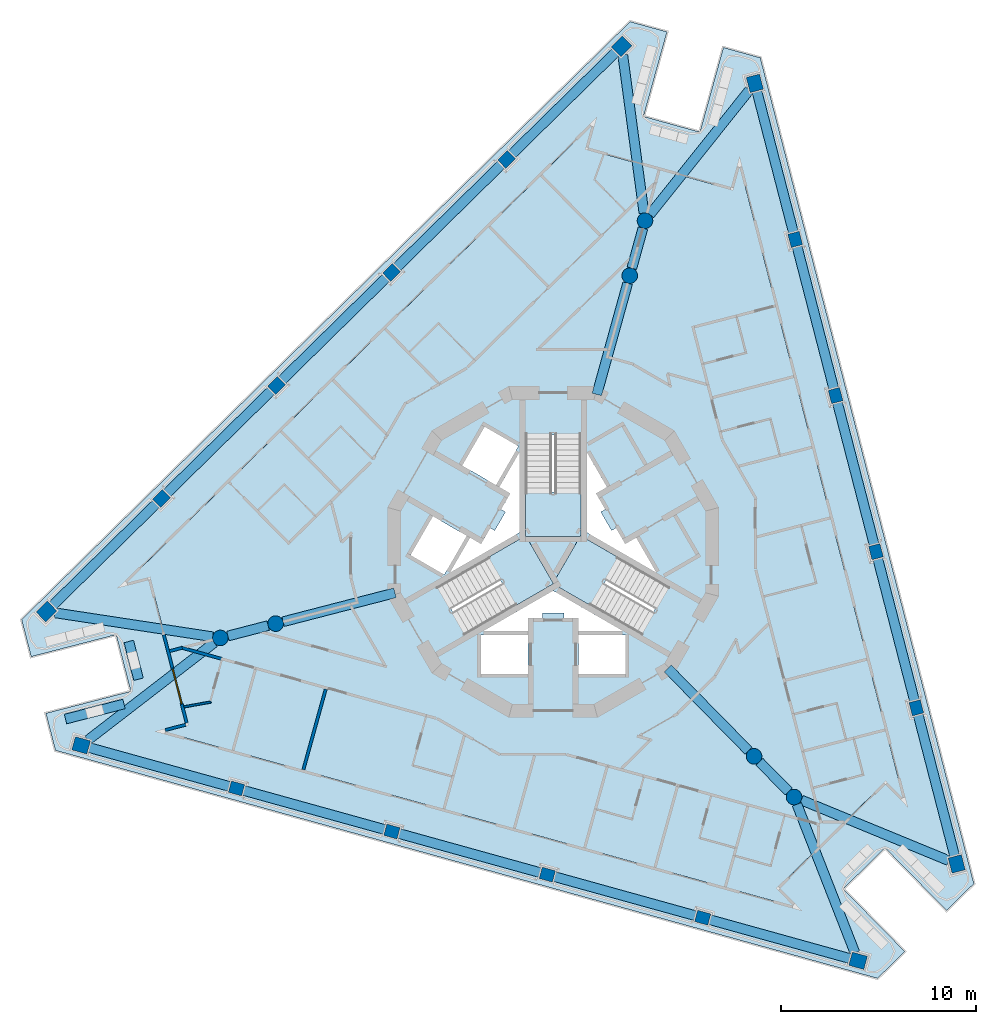
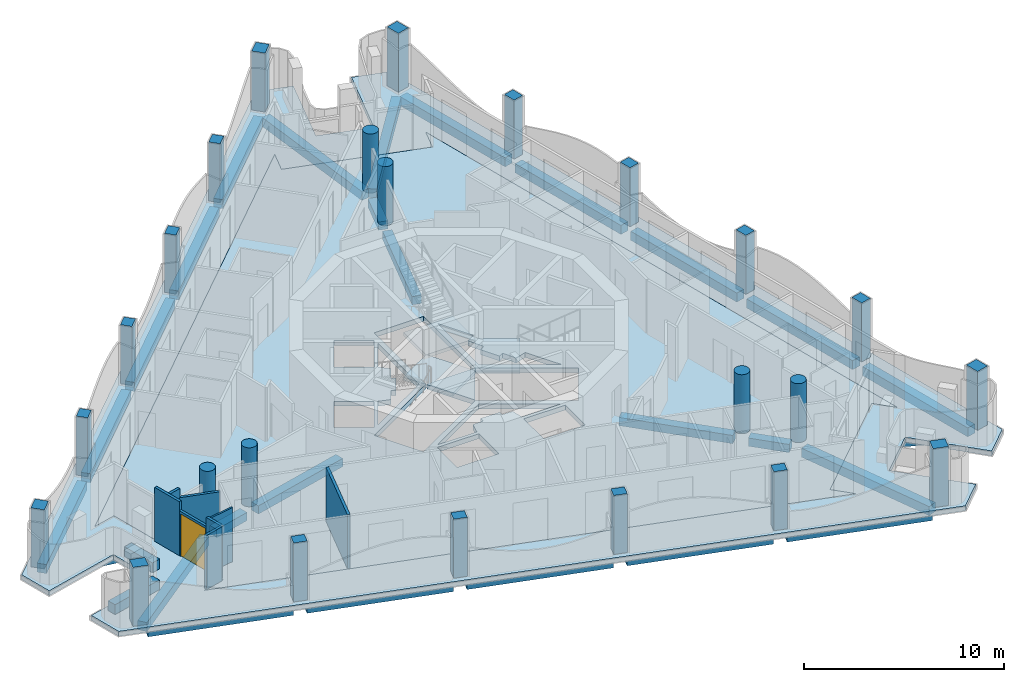
# One storey, part 1 of 14: 27 beams, 24 columns, 10 walls, 6 slabs, 1 door, 1 opening, 3 elements without a shape of their own.
"""IFC4 building model written with IfcOpenShell, lengths in metres."""

import ifcopenshell
import ifcopenshell.guid

model = None  # the IFC model being written
_history = None  # IfcOwnerHistory: only IFC2X3 demands one
_inside = {}  # id of a spatial element -> (the spatial element, [elements in it])
_under = {}  # id of a project, library or spatial element -> (it, [spatial elements below it])
_declared = {}  # id of a project -> (the project, [libraries it declares])
_typed = {}  # id of a type object -> (the type object, [elements of that type])
_made_of = {}  # id of a material, layer set ... -> (it, [elements and type objects made of it])


def new_model(schema):
    """Start an empty IFC model of exactly this schema.

    Asked for "IFC4X3", IfcOpenShell would pick the latest addendum, in which some entities
    have other attributes; the version numbers below select the first issue.
    IFC2X3 requires an IfcOwnerHistory on every rooted entity: one is made here for all.
    """
    global model, _history
    if schema == "IFC4X3":
        model = ifcopenshell.file(schema_version=(4, 3, 0, 0))
    else:
        model = ifcopenshell.file(schema=schema)
    _inside.clear()
    _under.clear()
    _declared.clear()
    _typed.clear()
    _made_of.clear()
    _history = None
    if model.schema == "IFC2X3":
        org = make("IfcOrganization", Name="unknown")
        user = make(
            "IfcPersonAndOrganization",
            ThePerson=make("IfcPerson", FamilyName="unknown"),
            TheOrganization=org,
        )
        app = make(
            "IfcApplication",
            ApplicationDeveloper=org,
            Version="unknown",
            ApplicationFullName="unknown",
            ApplicationIdentifier="unknown",
        )
        _history = make(
            "IfcOwnerHistory",
            OwningUser=user,
            OwningApplication=app,
            ChangeAction="ADDED",
            CreationDate=0,
        )
    return model


def make(cls, **values):
    """One entity of the class cls with the attributes given. An attribute that is None is left unset."""
    return model.create_entity(
        cls, **{name: value for name, value in values.items() if value is not None}
    )


def rooted(cls, **values):
    """An entity with a GlobalId (a new one), such as an element, a storey or a relation."""
    return make(cls, GlobalId=ifcopenshell.guid.new(), OwnerHistory=_history, **values)


def si_unit(unit_type, name, prefix=None):
    """IfcSIUnit, for example si_unit("LENGTHUNIT", "METRE", prefix="MILLI")."""
    return make("IfcSIUnit", UnitType=unit_type, Prefix=prefix, Name=name)


def assignment(units):
    """IfcUnitAssignment: the units of a project."""
    return None if units is None else make("IfcUnitAssignment", Units=units)


def point(xyz):
    """IfcCartesianPoint."""
    return None if xyz is None else make("IfcCartesianPoint", Coordinates=xyz)


def direction(xyz):
    """IfcDirection."""
    return None if xyz is None else make("IfcDirection", DirectionRatios=xyz)


def frame(location, z_axis=None, x_axis=None):
    """IfcAxis2Placement3D, a coordinate frame: its origin and axes. An axis left out is left unset."""
    return make(
        "IfcAxis2Placement3D",
        Location=point(location),
        Axis=direction(z_axis),
        RefDirection=direction(x_axis),
    )


def frame_2d(location, x_axis=None):
    """IfcAxis2Placement2D, a coordinate frame in the plane: its origin and x axis."""
    return make(
        "IfcAxis2Placement2D", Location=point(location), RefDirection=direction(x_axis)
    )


def origin():
    """The frame at (0, 0, 0) with its axes left unset."""
    return frame((0.0, 0.0, 0.0))


def origin_2d():
    """The frame at (0, 0) in the plane with its x axis left unset."""
    return frame_2d((0.0, 0.0))


def place(relative_to, where):
    """IfcLocalPlacement: puts the frame where relative to a parent placement (None: the world)."""
    return make(
        "IfcLocalPlacement", PlacementRelTo=relative_to, RelativePlacement=where
    )


def context(
    kind, dimensions, precision=None, world=None, true_north=None, identifier=None
):
    """IfcGeometricRepresentationContext, for example the 3D "Model" context."""
    return make(
        "IfcGeometricRepresentationContext",
        ContextIdentifier=identifier,
        ContextType=kind,
        CoordinateSpaceDimension=dimensions,
        Precision=precision,
        WorldCoordinateSystem=world,
        TrueNorth=true_north,
    )


def subcontext(parent, identifier, kind, view, scale=None):
    """IfcGeometricRepresentationSubContext, for example "Body" below "Model"."""
    return make(
        "IfcGeometricRepresentationSubContext",
        ContextIdentifier=identifier,
        ContextType=kind,
        ParentContext=parent,
        TargetScale=scale,
        TargetView=view,
    )


def project(units=None, contexts=None):
    """IfcProject with its units and contexts."""
    return rooted(
        "IfcProject",
        Name="project",
        RepresentationContexts=contexts,
        UnitsInContext=assignment(units),
    )


def spatial(cls, under=None, at=None, **own):
    """A site, building, storey or space (cls), placed at a placement, below another one or the project."""
    s = rooted(cls, ObjectPlacement=at, **own)
    if under is not None:
        _under.setdefault(under.id(), (under, []))[1].append(s)
    return s


def polyline(points):
    """IfcPolyline through the points."""
    return make("IfcPolyline", Points=[point(p) for p in points])


def profile(cls, at=None, kind="AREA", **sizes):
    """A parametric profile (cls). Its sizes go by their IFC names, for example OverallWidth=200.0."""
    return make(cls, ProfileType=kind, Position=at, **sizes)


def rectangle(**sizes):
    """IfcRectangleProfileDef."""
    return profile("IfcRectangleProfileDef", **sizes)


def circle(**sizes):
    """IfcCircleProfileDef."""
    return profile("IfcCircleProfileDef", **sizes)


def outline(outer, holes=None, kind="AREA"):
    """IfcArbitraryClosedProfileDef: a profile drawn as a closed curve; with holes, ...WithVoids."""
    if holes is None:
        return make("IfcArbitraryClosedProfileDef", ProfileType=kind, OuterCurve=outer)
    return make(
        "IfcArbitraryProfileDefWithVoids",
        ProfileType=kind,
        OuterCurve=outer,
        InnerCurves=holes,
    )


def extrude(swept, where, along, depth):
    """IfcExtrudedAreaSolid: the profile swept, set in the frame where, extruded along a direction by depth."""
    return make(
        "IfcExtrudedAreaSolid",
        SweptArea=swept,
        Position=where,
        ExtrudedDirection=direction(along),
        Depth=depth,
    )


def shape(context_of_items, identifier, shape_type, items):
    """IfcShapeRepresentation: the items that make up one representation, for example the "Body"."""
    return make(
        "IfcShapeRepresentation",
        ContextOfItems=context_of_items,
        RepresentationIdentifier=identifier,
        RepresentationType=shape_type,
        Items=items,
    )


def material(Name=None, Category=None):
    """IfcMaterial."""
    return make("IfcMaterial", Name=Name, Category=Category)


def layer(
    of_material, thickness, ventilated=None, Name=None, Category=None, Priority=None
):
    """IfcMaterialLayer: one layer of a wall or slab, of a material (None: an air gap)."""
    return make(
        "IfcMaterialLayer",
        Material=of_material,
        LayerThickness=thickness,
        IsVentilated=ventilated,
        Name=Name,
        Category=Category,
        Priority=Priority,
    )


def layer_set(layers, Name=None):
    """IfcMaterialLayerSet."""
    return make("IfcMaterialLayerSet", MaterialLayers=layers, LayerSetName=Name)


def material_profile(
    of_material, cross_section, Name=None, Category=None, Priority=None
):
    """IfcMaterialProfile: a cross section and its material."""
    return make(
        "IfcMaterialProfile",
        Name=Name,
        Material=of_material,
        Profile=cross_section,
        Priority=Priority,
        Category=Category,
    )


def profile_set(profiles, Name=None, composite=None):
    """IfcMaterialProfileSet."""
    return make(
        "IfcMaterialProfileSet",
        Name=Name,
        MaterialProfiles=profiles,
        CompositeProfile=composite,
    )


def made_of(thing, what):
    """Note that an element or type object is made of a material, layer set ...; save() writes the relation."""
    if what is not None:
        _made_of.setdefault(what.id(), (what, []))[1].append(thing)
    return thing


def type_object(cls, material=None, **own):
    """A type object (cls), such as IfcWallType, which elements share."""
    return made_of(rooted(cls, **own), material)


def element(
    cls,
    number,
    at=None,
    inside=None,
    cuts=None,
    type_object=None,
    material=None,
    context=None,
    identifier="Body",
    shape_type=None,
    held_by="IfcProductDefinitionShape",
    body=None,
    shapes=None,
    **own,
):
    """One element of the class cls, such as IfcWall. Its Tag is "e" and its number.

    at: its placement. inside: the storey or other place that contains it. cuts: it is an
    opening in that element (IfcRelVoidsElement). A single representation is given by context,
    identifier, shape_type and body (its items); several are given by shapes. held_by: the class
    of the entity that holds the representations. save() writes the other relations.
    """
    e = rooted(cls, Tag="e%d" % number, ObjectPlacement=at, **own)
    if body is not None:
        shapes = [shape(context, identifier, shape_type, body)]
    if shapes is not None:
        e.Representation = make(held_by, Representations=shapes)
    if inside is not None:
        _inside.setdefault(inside.id(), (inside, []))[1].append(e)
    if cuts is not None:
        rooted(
            "IfcRelVoidsElement", RelatingBuildingElement=cuts, RelatedOpeningElement=e
        )
    if type_object is not None:
        _typed.setdefault(type_object.id(), (type_object, []))[1].append(e)
    return made_of(e, material)


def fill(opening, filler):
    """IfcRelFillsElement: the door or window that sits in an opening."""
    return rooted(
        "IfcRelFillsElement",
        RelatingOpeningElement=opening,
        RelatedBuildingElement=filler,
    )


def aggregate(whole, parts):
    """IfcRelAggregates: a whole, such as a stair, and the parts it consists of."""
    return rooted("IfcRelAggregates", RelatingObject=whole, RelatedObjects=parts)


def save(model, path):
    """Write the relations noted so far, then the file.

    IfcRelAggregates (storeys below a building ...), IfcRelContainedInSpatialStructure (elements
    in a storey), IfcRelDefinesByType, IfcRelAssociatesMaterial and IfcRelDeclares: one each for
    every whole, place, type object, material and project.
    """
    for whole, parts in _under.values():
        aggregate(whole, parts)
    for where, things in _inside.values():
        rooted(
            "IfcRelContainedInSpatialStructure",
            RelatedElements=things,
            RelatingStructure=where,
        )
    for kind, things in _typed.values():
        rooted("IfcRelDefinesByType", RelatedObjects=things, RelatingType=kind)
    for what, things in _made_of.values():
        rooted("IfcRelAssociatesMaterial", RelatedObjects=things, RelatingMaterial=what)
    for by, libraries in _declared.values():
        rooted("IfcRelDeclares", RelatingContext=by, RelatedDefinitions=libraries)
    model.write(path)


model = new_model("IFC4")

# Units and contexts
model_context = context("Model", 3, precision=1e-05, world=origin(), true_north=direction((0.0, 1.0)))
body_context = subcontext(model_context, "Body", "Model", "MODEL_VIEW")
ifc_project = project(units=[si_unit("LENGTHUNIT", "METRE"), si_unit("AREAUNIT", "SQUARE_METRE"), si_unit("VOLUMEUNIT", "CUBIC_METRE"), si_unit("PLANEANGLEUNIT", "RADIAN"), si_unit("MASSUNIT", "GRAM", prefix="KILO")], contexts=[model_context])

# Site, building, storey
site_placement = place(None, origin())
site = spatial("IfcSite", under=ifc_project, at=site_placement, CompositionType="ELEMENT")
building_placement = place(site_placement, origin())
building = spatial("IfcBuilding", under=site, at=building_placement, Name="Trine Commons Tower", CompositionType="ELEMENT")
storey_placement = place(building_placement, frame((0.0, 0.0, 252.89990234375)))
storey = spatial("IfcBuildingStorey", under=building, at=storey_placement, Name="L66", CompositionType="ELEMENT", Elevation=252.89990234375)

# Columns
ifc_material_1 = material(Name="Concrete C50/60", Category="concrete")
ifc_material_profile_1 = material_profile(ifc_material_1, rectangle(XDim=0.699951171875, YDim=0.60009765625, at=origin_2d()), Name="RC 700x600")
ifc_profile_set_1 = profile_set([ifc_material_profile_1], Name="Concrete C50/60")
column_type_1 = type_object("IfcColumnType", Name="RC column 700x600, C50/60", PredefinedType="COLUMN", material=ifc_profile_set_1)
for number, where, z_axis, x_axis, name in (
    (1, (87.668701171875, 43.74072265625, 0.0), (0.0, 0.0, 1.0), (-0.963630453209, 0.267238376078, 0.0), "Column PC7-02 L66"),
    (2, (79.70068359375, 45.950439453125, 0.0), (0.0, 0.0, 1.0), (-0.963630453209, 0.267238376078, 0.0), "Column PC7-03 L66"),
    (3, (71.73291015625, 48.16015625, 0.0), (0.0, 0.0, 1.0), (-0.963630453209, 0.267238376078, 0.0), "Column PC7-04 L66"),
    (4, (63.764892578125, 50.369873046875, 0.0), (0.0, 0.0, 1.0), (-0.963630453209, 0.267238376078, 0.0), "Column PC7-05 L66"),
    (5, (59.91943359375, 65.23828125, 0.0), (0.0, 0.0, 1.0), (0.713250449154, 0.7009092643, 0.0), "Column PC7-08 L66"),
    (6, (65.817138671875, 71.033935546875, 0.0), (0.0, 0.0, 1.0), (0.713250449154, 0.7009092643, 0.0), "Column PC7-09 L66"),
    (7, (71.71484375, 76.82958984375, 0.0), (0.0, 0.0, 1.0), (0.713250449154, 0.7009092643, 0.0), "Column PC7-10 L66"),
    (8, (77.612548828125, 82.625244140625, 0.0), (0.0, 0.0, 1.0), (0.713250449154, 0.7009092643, 0.0), "Column PC7-11 L66"),
    (9, (92.41162109375, 78.52099609375, 0.0), (0.0, 0.0, 1.0), (-0.250380004054, 0.968147640378, 0.0), "Column PC7-14 L66"),
    (10, (94.48193359375, 70.515625, 0.0), (0.0, 0.0, 1.0), (-0.250380004054, 0.968147640378, 0.0), "Column PC7-15 L66"),
    (11, (96.55224609375, 62.51025390625, 0.0), (0.0, 0.0, 1.0), (-0.250380004054, 0.968147640378, 0.0), "Column PC7-16 L66"),
    (12, (98.622802734375, 54.5048828125, 0.0), (0.0, 0.0, 1.0), (-0.250380004054, 0.968147640378, 0.0), "Column PC7-17 L66"),
):
    element("IfcColumn", number, at=place(storey_placement, frame(where, z_axis=z_axis, x_axis=x_axis)), inside=storey, type_object=column_type_1, Name=name, PredefinedType="COLUMN", context=body_context, shape_type="SweptSolid", body=[
        extrude(rectangle(XDim=0.699951171875, YDim=0.60009765625, at=origin_2d()), origin(), (0.0, 0.0, 1.0), 3.60009765625),
    ])
ifc_material_profile_2 = material_profile(ifc_material_1, rectangle(XDim=0.800048828125, YDim=0.699951171875, at=origin_2d()), Name="RC 800x700")
ifc_profile_set_2 = profile_set([ifc_material_profile_2], Name="Concrete C50/60")
column_type_2 = type_object("IfcColumnType", Name="RC column 800x700, C50/60", PredefinedType="COLUMN", material=ifc_profile_set_2)
for number, where, z_axis, x_axis, name in (
    (13, (95.63671875, 41.531005859375, 0.0), (0.0, 0.0, 1.0), (-0.963630453209, 0.267238376078, 0.0), "Column PC7-01 L66"),
    (14, (55.796875, 52.57958984375, 0.0), (0.0, 0.0, 1.0), (-0.963630453209, 0.267238376078, 0.0), "Column PC7-06 L66"),
    (15, (54.02197265625, 59.442626953125, 0.0), (0.0, 0.0, 1.0), (0.713250449154, 0.7009092643, 0.0), "Column PC7-07 L66"),
    (16, (83.51025390625, 88.4208984375, 0.0), (0.0, 0.0, 1.0), (0.713250449154, 0.7009092643, 0.0), "Column PC7-12 L66"),
    (17, (90.34130859375, 86.5263671875, 0.0), (0.0, 0.0, 1.0), (-0.250380004054, 0.968147640378, 0.0), "Column PC7-13 L66"),
    (18, (100.693115234375, 46.499755859375, 0.0), (0.0, 0.0, 1.0), (-0.250380004054, 0.968147640378, 0.0), "Column PC7-18 L66"),
):
    element("IfcColumn", number, at=place(storey_placement, frame(where, z_axis=z_axis, x_axis=x_axis)), inside=storey, type_object=column_type_2, Name=name, PredefinedType="COLUMN", context=body_context, shape_type="SweptSolid", body=[
        extrude(rectangle(XDim=0.800048828125, YDim=0.699951171875, at=origin_2d()), origin(), (0.0, 0.0, 1.0), 3.60009765625),
    ])
ifc_material_profile_3 = material_profile(ifc_material_1, circle(Radius=0.39990234375, at=origin_2d()), Name="RC round 800")
ifc_profile_set_3 = profile_set([ifc_material_profile_3], Name="Concrete C50/60")
column_type_3 = type_object("IfcColumnType", Name="RC round column 800 mm, C50/60", PredefinedType="COLUMN", material=ifc_profile_set_3)
for number, where, z_axis, x_axis, name in (
    (19, (90.301513671875, 52.01708984375, 0.0), (0.0, 0.0, 1.0), (1.0, 0.0, 0.0), "Column WC7-1 L66"),
    (20, (92.352783203125, 49.9296875, 0.0), (0.0, 0.0, 1.0), (1.0, 0.0, 0.0), "Column WC7-2 L66"),
    (21, (83.927734375, 76.66259765625, 0.0), (0.0, 0.0, 1.0), (1.0, 0.0, 0.0), "Column WC7-3 L66"),
    (22, (84.709716796875, 79.48291015625, 0.0), (0.0, 0.0, 1.0), (1.0, 0.0, 0.0), "Column WC7-4 L66"),
    (23, (65.77099609375, 58.820068359375, 0.0), (0.0, 0.0, 1.0), (1.0, 0.0, 0.0), "Column WC7-5 L66"),
    (24, (62.9375, 58.08740234375, 0.0), (0.0, 0.0, 1.0), (1.0, 0.0, 0.0), "Column WC7-6 L66"),
):
    element("IfcColumn", number, at=place(storey_placement, frame(where, z_axis=z_axis, x_axis=x_axis)), inside=storey, type_object=column_type_3, Name=name, PredefinedType="COLUMN", context=body_context, shape_type="SweptSolid", body=[
        extrude(circle(Radius=0.39990234375, at=origin_2d()), origin(), (0.0, 0.0, 1.0), 3.60009765625),
    ])

# Beams
ifc_material_2 = material(Name="Concrete C40/50", Category="concrete")
ifc_material_profile_4 = material_profile(ifc_material_2, rectangle(XDim=0.5, YDim=0.5, at=origin_2d()), Name="RC 500x500")
ifc_profile_set_4 = profile_set([ifc_material_profile_4], Name="Concrete C40/50")
beam_type_1 = type_object("IfcBeamType", Name="RC beam 500x500, C40/50", PredefinedType="BEAM", material=ifc_profile_set_4)
beam_1_placement = place(storey_placement, frame((85.87353515625, 56.523193359375, -0.5498046875), z_axis=(0.700890997639, -0.713268399292, 0.0), x_axis=(0.713268399292, 0.700890997639, 0.0)))
element("IfcBeam", 25, at=beam_1_placement, inside=storey, type_object=beam_type_1, Name="Beam RB7-01 L66", PredefinedType="BEAM", context=body_context, shape_type="SweptSolid", body=[
    extrude(rectangle(XDim=0.5, YDim=0.5, at=origin_2d()), origin(), (0.0, 0.0, 1.0), 5.91748046875),
])
beam_2_placement = place(storey_placement, frame((90.581787109375, 51.73193359375, -0.5498046875), z_axis=(0.70093857454, -0.713221644877, 0.0), x_axis=(0.713221644877, 0.70093857454, 0.0)))
element("IfcBeam", 26, at=beam_2_placement, inside=storey, type_object=beam_type_1, Name="Beam RB7-02 L66", PredefinedType="BEAM", context=body_context, shape_type="SweptSolid", body=[
    extrude(rectangle(XDim=0.5, YDim=0.5, at=origin_2d()), origin(), (0.0, 0.0, 1.0), 2.126708984375),
])
beam_3_placement = place(storey_placement, frame((82.239501953125, 70.574951171875, -0.5498046875), z_axis=(0.267209770713, 0.963638385721, 0.0), x_axis=(-0.963638385721, 0.267209770713, 0.0)))
element("IfcBeam", 27, at=beam_3_placement, inside=storey, type_object=beam_type_1, Name="Beam RB7-03 L66", PredefinedType="BEAM", context=body_context, shape_type="SweptSolid", body=[
    extrude(rectangle(XDim=0.5, YDim=0.5, at=origin_2d()), origin(), (0.0, 0.0, 1.0), 5.917724609375),
])
beam_4_placement = place(storey_placement, frame((84.034423828125, 77.0478515625, -0.5498046875), z_axis=(0.267270963033, 0.963621415453, 0.0), x_axis=(-0.963621415453, 0.267270963033, 0.0)))
element("IfcBeam", 28, at=beam_4_placement, inside=storey, type_object=beam_type_1, Name="Beam RB7-04 L66", PredefinedType="BEAM", context=body_context, shape_type="SweptSolid", body=[
    extrude(rectangle(XDim=0.5, YDim=0.5, at=origin_2d()), origin(), (0.0, 0.0, 1.0), 2.12744140625),
])
beam_5_placement = place(storey_placement, frame((71.88720703125, 60.40185546875, -0.5498046875), z_axis=(-0.968150015074, -0.250370821607, 0.0), x_axis=(0.250370821607, -0.968150015074, 0.0)))
element("IfcBeam", 29, at=beam_5_placement, inside=storey, type_object=beam_type_1, Name="Beam RB7-05 L66", PredefinedType="BEAM", context=body_context, shape_type="SweptSolid", body=[
    extrude(rectangle(XDim=0.5, YDim=0.5, at=origin_2d()), origin(), (0.0, 0.0, 1.0), 5.91796875),
])
beam_6_placement = place(storey_placement, frame((65.384033203125, 58.72021484375, -0.5498046875), z_axis=(-0.968118610388, -0.250492227863, 0.0), x_axis=(0.250492227863, -0.968118610388, 0.0)))
element("IfcBeam", 30, at=beam_6_placement, inside=storey, type_object=beam_type_1, Name="Beam RB7-06 L66", PredefinedType="BEAM", context=body_context, shape_type="SweptSolid", body=[
    extrude(rectangle(XDim=0.5, YDim=0.5, at=origin_2d()), origin(), (0.0, 0.0, 1.0), 2.127685546875),
])
ifc_material_profile_5 = material_profile(ifc_material_2, rectangle(XDim=0.5, YDim=0.550048828125, at=origin_2d()), Name="RC 500x550")
ifc_profile_set_5 = profile_set([ifc_material_profile_5], Name="Concrete C40/50")
beam_type_2 = type_object("IfcBeamType", Name="RC beam 500x550, C40/50", PredefinedType="BEAM", material=ifc_profile_set_5)
beam_7_placement = place(storey_placement, frame((95.251220703125, 41.6376953125, -0.574951171875), z_axis=(-0.963621113681, 0.267272051042, 0.0), x_axis=(-0.267272051042, -0.963621113681, 0.0)))
element("IfcBeam", 31, at=beam_7_placement, inside=storey, type_object=beam_type_2, Name="Beam EB7-01 L66", PredefinedType="BEAM", context=body_context, shape_type="SweptSolid", body=[
    extrude(rectangle(XDim=0.5, YDim=0.550048828125, at=origin_2d()), origin(), (0.0, 0.0, 1.0), 7.5185546875),
])
for number, where, z_axis, x_axis, name in (
    (32, (87.33154296875, 43.834228515625, -0.574951171875), (-0.963628737279, 0.267244563445, 0.0), (-0.267244563445, -0.963628737279, 0.0), "Beam EB7-02 L66"),
    (33, (79.363525390625, 46.0439453125, -0.574951171875), (-0.963628737279, 0.267244563445, 0.0), (-0.267244563445, -0.963628737279, 0.0), "Beam EB7-03 L66"),
    (34, (71.3955078125, 48.253662109375, -0.574951171875), (-0.963628737279, 0.267244563445, 0.0), (-0.267244563445, -0.963628737279, 0.0), "Beam EB7-04 L66"),
):
    element("IfcBeam", number, at=place(storey_placement, frame(where, z_axis=z_axis, x_axis=x_axis)), inside=storey, type_object=beam_type_2, Name=name, PredefinedType="BEAM", context=body_context, shape_type="SweptSolid", body=[
        extrude(rectangle(XDim=0.5, YDim=0.550048828125, at=origin_2d()), origin(), (0.0, 0.0, 1.0), 7.56884765625),
    ])
for number, where, z_axis, x_axis, name in (
    (35, (63.427490234375, 50.46337890625, -0.574951171875), (-0.963629476257, 0.267241898827, 0.0), (-0.267241898827, -0.963629476257, 0.0), "Beam EB7-05 L66"),
    (36, (54.30712890625, 59.72314453125, -0.574951171875), (0.713265514722, 0.700893933137, 0.0), (-0.700893933137, 0.713265514722, 0.0), "Beam EB7-06 L66"),
):
    element("IfcBeam", number, at=place(storey_placement, frame(where, z_axis=z_axis, x_axis=x_axis)), inside=storey, type_object=beam_type_2, Name=name, PredefinedType="BEAM", context=body_context, shape_type="SweptSolid", body=[
        extrude(rectangle(XDim=0.5, YDim=0.550048828125, at=origin_2d()), origin(), (0.0, 0.0, 1.0), 7.5185546875),
    ])
for number, where, z_axis, x_axis, name in (
    (37, (60.169189453125, 65.483642578125, -0.574951171875), (0.713256929801, 0.700902669485, 0.0), (-0.700902669485, 0.713256929801, 0.0), "Beam EB7-07 L66"),
    (38, (66.06689453125, 71.279296875, -0.574951171875), (0.713256929801, 0.700902669485, 0.0), (-0.700902669485, 0.713256929801, 0.0), "Beam EB7-08 L66"),
    (39, (71.964599609375, 77.074951171875, -0.574951171875), (0.713241082752, 0.700918795492, 0.0), (-0.700918795492, 0.713241082752, 0.0), "Beam EB7-09 L66"),
):
    element("IfcBeam", number, at=place(storey_placement, frame(where, z_axis=z_axis, x_axis=x_axis)), inside=storey, type_object=beam_type_2, Name=name, PredefinedType="BEAM", context=body_context, shape_type="SweptSolid", body=[
        extrude(rectangle(XDim=0.5, YDim=0.550048828125, at=origin_2d()), origin(), (0.0, 0.0, 1.0), 7.568603515625),
    ])
beam_8_placement = place(storey_placement, frame((77.862060546875, 82.87060546875, -0.574951171875), z_axis=(0.713265514722, 0.700893933137, 0.0), x_axis=(-0.700893933137, 0.713265514722, 0.0)))
element("IfcBeam", 40, at=beam_8_placement, inside=storey, type_object=beam_type_2, Name="Beam EB7-10 L66", PredefinedType="BEAM", context=body_context, shape_type="SweptSolid", body=[
    extrude(rectangle(XDim=0.5, YDim=0.550048828125, at=origin_2d()), origin(), (0.0, 0.0, 1.0), 7.5185546875),
])
beam_9_placement = place(storey_placement, frame((90.441650390625, 86.13916015625, -0.574951171875), z_axis=(0.250381772483, -0.96814718303, 0.0), x_axis=(0.96814718303, 0.250381772483, 0.0)))
element("IfcBeam", 41, at=beam_9_placement, inside=storey, type_object=beam_type_2, Name="Beam EB7-11 L66", PredefinedType="BEAM", context=body_context, shape_type="SweptSolid", body=[
    extrude(rectangle(XDim=0.5, YDim=0.550048828125, at=origin_2d()), origin(), (0.0, 0.0, 1.0), 7.518798828125),
])
for number, where, z_axis, x_axis, name in (
    (42, (92.499267578125, 78.18212890625, -0.574951171875), (0.250375524013, -0.968148798985, 0.0), (0.968148798985, 0.250375524013, 0.0), "Beam EB7-12 L66"),
    (43, (94.569580078125, 70.1767578125, -0.574951171875), (0.250375524013, -0.968148798985, 0.0), (0.968148798985, 0.250375524013, 0.0), "Beam EB7-13 L66"),
    (44, (96.639892578125, 62.17138671875, -0.574951171875), (0.250413578195, -0.968138956894, 0.0), (0.968138956894, 0.250413578195, 0.0), "Beam EB7-14 L66"),
):
    element("IfcBeam", number, at=place(storey_placement, frame(where, z_axis=z_axis, x_axis=x_axis)), inside=storey, type_object=beam_type_2, Name=name, PredefinedType="BEAM", context=body_context, shape_type="SweptSolid", body=[
        extrude(rectangle(XDim=0.5, YDim=0.550048828125, at=origin_2d()), origin(), (0.0, 0.0, 1.0), 7.568603515625),
    ])
beam_10_placement = place(storey_placement, frame((98.710205078125, 54.166015625, -0.574951171875), z_axis=(0.250389643834, -0.96814514731, 0.0), x_axis=(0.96814514731, 0.250389643834, 0.0)))
element("IfcBeam", 45, at=beam_10_placement, inside=storey, type_object=beam_type_2, Name="Beam EB7-15 L66", PredefinedType="BEAM", context=body_context, shape_type="SweptSolid", body=[
    extrude(rectangle(XDim=0.5, YDim=0.550048828125, at=origin_2d()), origin(), (0.0, 0.0, 1.0), 7.5185546875),
])
beam_11_placement = place(storey_placement, frame((56.143310546875, 52.8466796875, -0.574951171875), z_axis=(0.79181565557, 0.610760155539, 0.0), x_axis=(-0.610760155539, 0.79181565557, 0.0)))
element("IfcBeam", 46, at=beam_11_placement, inside=storey, type_object=beam_type_2, Name="Beam CB7-01 L66", PredefinedType="BEAM", context=body_context, shape_type="SweptSolid", body=[
    extrude(rectangle(XDim=0.5, YDim=0.550048828125, at=origin_2d()), origin(), (0.0, 0.0, 1.0), 8.180908203125),
])
for number, where, z_axis, x_axis, name in (
    (47, (54.454345703125, 59.376953125, -0.574951171875), (0.98863822303, -0.150314550074, 0.0), (0.150314550074, 0.98863822303, 0.0), "Beam CB7-02 L66"),
    (48, (83.568359375, 87.9873046875, -0.574951171875), (0.1330354713, -0.99111127699, 0.0), (0.99111127699, 0.1330354713, 0.0), "Beam CB7-03 L66"),
):
    element("IfcBeam", number, at=place(storey_placement, frame(where, z_axis=z_axis, x_axis=x_axis)), inside=storey, type_object=beam_type_2, Name=name, PredefinedType="BEAM", context=body_context, shape_type="SweptSolid", body=[
        extrude(rectangle(XDim=0.5, YDim=0.550048828125, at=origin_2d()), origin(), (0.0, 0.0, 1.0), 8.18115234375),
    ])
beam_12_placement = place(storey_placement, frame((90.068115234375, 86.184814453125, -0.574951171875), z_axis=(-0.624465738686, -0.781052201333, 0.0), x_axis=(0.781052201333, -0.624465738686, 0.0)))
element("IfcBeam", 49, at=beam_12_placement, inside=storey, type_object=beam_type_2, Name="Beam CB7-04 L66", PredefinedType="BEAM", context=body_context, shape_type="SweptSolid", body=[
    extrude(rectangle(XDim=0.5, YDim=0.550048828125, at=origin_2d()), origin(), (0.0, 0.0, 1.0), 8.180908203125),
])
beam_13_placement = place(storey_placement, frame((100.28857421875, 46.666015625, -0.574951171875), z_axis=(-0.924841797532, 0.380352007407, 0.0), x_axis=(-0.380352007407, -0.924841797532, 0.0)))
element("IfcBeam", 50, at=beam_13_placement, inside=storey, type_object=beam_type_2, Name="Beam CB7-05 L66", PredefinedType="BEAM", context=body_context, shape_type="SweptSolid", body=[
    extrude(rectangle(XDim=0.5, YDim=0.550048828125, at=origin_2d()), origin(), (0.0, 0.0, 1.0), 8.1806640625),
])
beam_14_placement = place(storey_placement, frame((95.4775390625, 41.938232421875, -0.574951171875), z_axis=(-0.36416079705, 0.931336090727, 0.0), x_axis=(-0.931336090727, -0.36416079705, 0.0)))
element("IfcBeam", 51, at=beam_14_placement, inside=storey, type_object=beam_type_2, Name="Beam CB7-06 L66", PredefinedType="BEAM", context=body_context, shape_type="SweptSolid", body=[
    extrude(rectangle(XDim=0.5, YDim=0.550048828125, at=origin_2d()), origin(), (0.0, 0.0, 1.0), 8.18115234375),
])

# Slabs
ifc_layer_1 = layer(ifc_material_2, 0.300048828125)
ifc_layer_set_1 = layer_set([ifc_layer_1], Name="Concrete C40/50")
slab_type_1 = type_object("IfcSlabType", Name="Loggia slab 300 mm, C40/50", PredefinedType="FLOOR", material=ifc_layer_set_1)
slab_1_placement = place(storey_placement, frame((0.0, 0.0, -0.2998046875)))
element("IfcSlab", 52, at=slab_1_placement, inside=storey, type_object=slab_type_1, Name="Loggia slab L66", PredefinedType="FLOOR", context=body_context, shape_type="SweptSolid", body=[
    extrude(outline(polyline([(101.57421875, 45.488037109375), (90.621826171875, 87.83837890625), (88.72900390625, 88.36328125), (87.526611328125, 84.02685546875), (84.6357421875, 84.82861328125), (85.838134765625, 89.1650390625), (83.945556640625, 89.68994140625), (52.745361328125, 59.029541015625), (53.2373046875, 57.1279296875), (57.593994140625, 58.254638671875), (58.344970703125, 55.350341796875), (53.98828125, 54.2236328125), (54.47998046875, 52.322021484375), (96.6328125, 40.632080078125), (98.03369140625, 42.0087890625), (94.879638671875, 45.218505859375), (97.019287109375, 47.321044921875), (100.17333984375, 44.111572265625), (101.57421875, 45.488037109375)]), holes=[polyline([(59.31640625, 61.17919921875), (61.26953125, 53.627685546875), (59.96728515625, 53.291015625), (92.42822265625, 44.28857421875), (91.485595703125, 45.248046875), (97.048828125, 50.715087890625), (97.99169921875, 49.755615234375), (89.557373046875, 82.368896484375), (89.197998046875, 81.07275390625), (81.681640625, 83.1572265625), (82.041015625, 84.453369140625), (58.014404296875, 60.84228515625), (59.31640625, 61.17919921875)])]), origin(), (0.0, 0.0, 1.0), 0.2998046875),
])
ifc_layer_2 = layer(ifc_material_2, 0.300048828125)
ifc_layer_set_2 = layer_set([ifc_layer_2], Name="Concrete C40/50")
slab_type_2 = type_object("IfcSlabType", Name="PT flat slab 300 mm, C40/50", PredefinedType="FLOOR", material=ifc_layer_set_2)
slab_2_placement = place(storey_placement, frame((0.0, 0.0, -0.2998046875)))
element("IfcSlab", 53, at=slab_2_placement, inside=storey, type_object=slab_type_2, Name="Floor slab L66", PredefinedType="FLOOR", context=body_context, shape_type="SweptSolid", body=[
    extrude(outline(polyline([(58.014404296875, 60.84228515625), (59.31640625, 61.17919921875), (61.26953125, 53.627685546875), (59.96728515625, 53.291015625), (92.42822265625, 44.28857421875), (91.485595703125, 45.248046875), (97.048828125, 50.715087890625), (97.99169921875, 49.755615234375), (89.557373046875, 82.368896484375), (89.197998046875, 81.07275390625), (81.681640625, 83.1572265625), (82.041015625, 84.453369140625), (58.014404296875, 60.84228515625)]), holes=[polyline([(78.699951171875, 56.25), (78.699951171875, 58.25), (76.300048828125, 58.25), (76.300048828125, 56.25), (78.699951171875, 56.25)]), polyline([(83.699951171875, 56.25), (83.699951171875, 58.25), (81.300048828125, 58.25), (81.300048828125, 56.25), (83.699951171875, 56.25)]), polyline([(81.300048828125, 58.449951171875), (83.56494140625, 58.449951171875), (80.0, 60.508056640625), (76.43505859375, 58.449951171875), (78.699951171875, 58.449951171875), (78.85009765625, 59.10009765625), (79.449951171875, 59.10009765625), (79.449951171875, 59.360107421875), (80.550048828125, 59.360107421875), (80.550048828125, 59.10009765625), (81.14990234375, 59.10009765625), (81.300048828125, 58.449951171875)]), polyline([(81.425048828125, 63.32275390625), (81.425048828125, 68.490478515625), (78.574951171875, 68.490478515625), (78.574951171875, 63.32275390625), (74.099609375, 60.73876953125), (75.5244140625, 58.2705078125), (80.0, 60.8544921875), (84.4755859375, 58.2705078125), (85.900390625, 60.73876953125), (81.425048828125, 63.32275390625)]), polyline([(72.687255859375, 62.333984375), (74.41943359375, 61.333984375), (75.5693359375, 63.325927734375), (73.83740234375, 64.325927734375), (72.687255859375, 62.333984375)]), polyline([(76.381103515625, 63.031005859375), (75.742919921875, 63.22607421875), (74.7099609375, 61.43798828125), (78.27490234375, 63.49609375), (78.27490234375, 67.612060546875), (77.242919921875, 65.823974609375), (77.73095703125, 65.368896484375), (77.3310546875, 64.676025390625), (77.555908203125, 64.5458984375), (77.006103515625, 63.593994140625), (76.781005859375, 63.722900390625), (76.381103515625, 63.031005859375)]), polyline([(82.993896484375, 63.593994140625), (82.444091796875, 64.5458984375), (82.72705078125, 64.7099609375), (82.281005859375, 65.549072265625), (82.757080078125, 65.823974609375), (81.72509765625, 67.612060546875), (81.72509765625, 63.49609375), (85.2900390625, 61.43798828125), (84.257080078125, 63.22607421875), (83.618896484375, 63.031005859375), (83.243896484375, 63.738037109375), (82.993896484375, 63.593994140625)]), polyline([(76.4873046875, 68.916015625), (75.33740234375, 66.924072265625), (77.0693359375, 65.924072265625), (78.219482421875, 67.916015625), (76.4873046875, 68.916015625)])]), origin(), (0.0, 0.0, 1.0), 0.2998046875),
])
slab_3_placement = place(storey_placement, frame((0.0, 0.0, -0.2998046875)))
element("IfcSlab", 54, at=slab_3_placement, inside=storey, type_object=slab_type_2, Name="Floor slab L66 2", PredefinedType="FLOOR", context=body_context, shape_type="SweptSolid", body=[
    extrude(outline(polyline([(81.38671875, 63.300537109375), (78.61328125, 63.300537109375), (80.0, 60.89892578125), (81.38671875, 63.300537109375)])), origin(), (0.0, 0.0, 1.0), 0.2998046875),
])

# Stair, slab
stair_type = type_object("IfcStairType", Name="Exit stair, dog-leg, 24 risers of 150 mm", PredefinedType="HALF_TURN_STAIR", material=ifc_material_1)
stair_1_placement = place(storey_placement, origin())
stair_1 = element("IfcStair", 55, at=stair_1_placement, inside=storey, type_object=stair_type, Name="L66 Exit stair ST1C", PredefinedType="HALF_TURN_STAIR")
ifc_layer_3 = layer(ifc_material_1, 0.199951171875)
ifc_layer_set_3 = layer_set([ifc_layer_3], Name="Concrete C50/60")
slab_type_3 = type_object("IfcSlabType", Name="Stair landing slab 200 mm, C50/60", PredefinedType="LANDING", material=ifc_layer_set_3)
slab_4_placement = place(storey_placement, frame((0.0, 0.0, 1.60009765625)))
slab_4 = element("IfcSlab", 56, at=slab_4_placement, type_object=slab_type_3, Name="ST1C landing 1", PredefinedType="LANDING", context=body_context, shape_type="SweptSolid", body=[
    extrude(outline(polyline([(78.574951171875, 65.570556640625), (78.574951171875, 63.300537109375), (81.425048828125, 63.300537109375), (81.425048828125, 65.570556640625), (78.574951171875, 65.570556640625)])), origin(), (0.0, 0.0, 1.0), 0.199951171875),
])
aggregate(stair_1, [slab_4])

stair_2_placement = place(storey_placement, origin())
stair_2 = element("IfcStair", 57, at=stair_2_placement, inside=storey, type_object=stair_type, Name="L66 Exit stair ST2C", PredefinedType="HALF_TURN_STAIR")
slab_5_placement = place(storey_placement, frame((0.0, 0.0, 1.60009765625)))
slab_5 = element("IfcSlab", 58, at=slab_5_placement, type_object=slab_type_3, Name="ST2C landing 1", PredefinedType="LANDING", context=body_context, shape_type="SweptSolid", body=[
    extrude(outline(polyline([(78.05322265625, 59.730712890625), (80.019287109375, 60.86572265625), (78.59423828125, 63.333740234375), (76.628173828125, 62.19873046875), (78.05322265625, 59.730712890625)])), origin(), (0.0, 0.0, 1.0), 0.199951171875),
])
aggregate(stair_2, [slab_5])

stair_3_placement = place(storey_placement, origin())
stair_3 = element("IfcStair", 59, at=stair_3_placement, inside=storey, type_object=stair_type, Name="L66 Exit stair ST3C", PredefinedType="HALF_TURN_STAIR")
slab_6_placement = place(storey_placement, frame((0.0, 0.0, 1.60009765625)))
slab_6 = element("IfcSlab", 60, at=slab_6_placement, type_object=slab_type_3, Name="ST3C landing 1", PredefinedType="LANDING", context=body_context, shape_type="SweptSolid", body=[
    extrude(outline(polyline([(83.371826171875, 62.19873046875), (81.40576171875, 63.333740234375), (79.980712890625, 60.86572265625), (81.94677734375, 59.730712890625), (83.371826171875, 62.19873046875)])), origin(), (0.0, 0.0, 1.0), 0.199951171875),
])
aggregate(stair_3, [slab_6])

# Walls
ifc_material_3 = material(Name="Aluminium-framed insulated wall panel", Category="aluminium")
ifc_layer_4 = layer(ifc_material_3, 0.14990234375)
ifc_layer_set_4 = layer_set([ifc_layer_4], Name="Aluminium-framed insulated wall panel")
wall_type_1 = type_object("IfcWallType", Name="Glazed frame wall 150, EI 60", PredefinedType="SOLIDWALL", material=ifc_layer_set_4)
wall_1_placement = place(storey_placement, frame((59.95849609375, 53.32470703125, 0.0), z_axis=(0.0, 0.0, 1.0), x_axis=(0.968124150503, 0.250470815091, 0.0)))
element("IfcWall", 61, at=wall_1_placement, inside=storey, type_object=wall_type_1, Name="Glazed frame wall R10", PredefinedType="SOLIDWALL", context=body_context, shape_type="SweptSolid", body=[
    extrude(outline(polyline([(0.1494140625, 0.074951171875), (0.1494140625, -0.074951171875), (1.235107421875, -0.074951171875), (1.235107421875, 0.074951171875), (0.1494140625, 0.074951171875)])), origin(), (0.0, 0.0, 1.0), 3.300048828125),
])
wall_2_placement = place(storey_placement, frame((61.235595703125, 53.618896484375, 0.0), z_axis=(0.0, 0.0, 1.0), x_axis=(-0.250361300835, 0.968152477167, 0.0)))
element("IfcWall", 62, at=wall_2_placement, inside=storey, type_object=wall_type_1, Name="Glazed frame wall P3.1", PredefinedType="SOLIDWALL", context=body_context, shape_type="SweptSolid", body=[
    extrude(outline(polyline([(0.110107421875, -0.074951171875), (1.10009765625, -0.074951171875), (1.10009765625, 0.074951171875), (0.110107421875, 0.074951171875), (0.110107421875, -0.074951171875)])), origin(), (0.0, 0.0, 1.0), 3.300048828125),
])

# Wall, opening, door
wall_3_placement = place(storey_placement, frame((60.960205078125, 54.683837890625, 0.0), z_axis=(0.0, 0.0, 1.0), x_axis=(-0.250450586115, 0.968129383871, 0.0)))
wall_3 = element("IfcWall", 63, at=wall_3_placement, inside=storey, type_object=wall_type_1, Name="Glazed frame wall P3.2", PredefinedType="SOLIDWALL", context=body_context, shape_type="SweptSolid", body=[
    extrude(outline(polyline([(0.0, -0.074951171875), (1.92138671875, -0.074951171875), (1.92138671875, 0.074951171875), (0.0, 0.074951171875), (0.0, -0.074951171875)])), origin(), (0.0, 0.0, 1.0), 2.75),
])
opening_placement = place(wall_3_placement, frame((0.050048828125, 0.0, 0.0)))
opening = element("IfcOpeningElement", 64, at=opening_placement, cuts=wall_3, Name="Opening BD-7P3-01", PredefinedType="OPENING", context=body_context, shape_type="SweptSolid", body=[
    extrude(rectangle(XDim=1.800048828125, YDim=2.60009765625, at=frame_2d((0.89990234375, 1.300048828125))), frame((0.0, 0.0849609375, 0.0), z_axis=(0.0, -1.0, 0.0), x_axis=(1.0, 0.0, 0.0)), (0.0, 0.0, 1.0), 0.169921875),
])
ifc_material_4 = material(Name="Anodised aluminium frame with double glazing", Category="aluminium")
door_type = type_object("IfcDoorType", Name="Sliding loggia door 1800x2600", OperationType="SLIDING_TO_LEFT", PredefinedType="DOOR", material=ifc_material_4)
door_placement = place(opening_placement, origin())
door = element("IfcDoor", 65, at=door_placement, inside=storey, type_object=door_type, Name="Loggia door P3 1", OperationType="SLIDING_TO_LEFT", OverallHeight=2.60009765625, OverallWidth=1.800048828125, PredefinedType="DOOR", context=body_context, shape_type="SweptSolid", body=[
    extrude(rectangle(XDim=1.800048828125, YDim=2.60009765625, at=frame_2d((0.89990234375, 1.300048828125))), frame((0.0, 0.02490234375, 0.0), z_axis=(0.0, -1.0, 0.0), x_axis=(1.0, 0.0, 0.0)), (0.0, 0.0, 1.0), 0.050048828125),
])
fill(opening, door)

# Walls
wall_4_placement = place(storey_placement, frame((60.47900390625, 56.5439453125, 0.0), z_axis=(0.0, 0.0, 1.0), x_axis=(-0.250373840462, 0.968149234371, 0.0)))
element("IfcWall", 66, at=wall_4_placement, inside=storey, type_object=wall_type_1, Name="Glazed frame wall P3.3", PredefinedType="SOLIDWALL", context=body_context, shape_type="SweptSolid", body=[
    extrude(outline(polyline([(0.0, -0.074951171875), (1.757080078125, -0.074951171875), (1.757080078125, 0.074951171875), (0.0, 0.074951171875), (0.0, -0.074951171875)])), origin(), (0.0, 0.0, 1.0), 3.300048828125),
])
ifc_material_5 = material(Name="Planter trough, precast concrete C40/50", Category="concrete")
ifc_layer_5 = layer(ifc_material_5, 0.5)
ifc_layer_set_5 = layer_set([ifc_layer_5], Name="Planter trough, precast concrete C40/50")
wall_type_2 = type_object("IfcWallType", Name="Planter trough 500x600", PredefinedType="PARAPET", material=ifc_layer_set_5)
wall_5_placement = place(storey_placement, frame((54.994873046875, 53.92626953125, 0.0), z_axis=(0.0, 0.0, 1.0), x_axis=(0.968151190511, 0.250366276306, 0.0)))
element("IfcWall", 67, at=wall_5_placement, inside=storey, type_object=wall_type_2, Name="Planter 1", PredefinedType="PARAPET", context=body_context, shape_type="SweptSolid", body=[
    extrude(rectangle(XDim=3.099853515625, YDim=0.5, at=frame_2d((1.5498046875, 0.0))), origin(), (0.0, 0.0, 1.0), 0.60009765625),
])
wall_6_placement = place(storey_placement, frame((58.74267578125, 55.969482421875, 0.0), z_axis=(0.0, 0.0, 1.0), x_axis=(-0.250483427189, 0.968120887443, 0.0)))
element("IfcWall", 68, at=wall_6_placement, inside=storey, type_object=wall_type_2, Name="Planter 2", PredefinedType="PARAPET", context=body_context, shape_type="SweptSolid", body=[
    extrude(rectangle(XDim=2.0, YDim=0.5, at=frame_2d((1.0, 0.0))), origin(), (0.0, 0.0, 1.0), 0.60009765625),
])
ifc_material_6 = material(Name="Gypsum plasterboard on steel stud", Category="steel")
ifc_layer_6 = layer(ifc_material_6, 0.14990234375)
ifc_layer_set_6 = layer_set([ifc_layer_6], Name="Gypsum plasterboard on steel stud")
wall_type_3 = type_object("IfcWallType", Name="Unit and corridor wall 150 mm, EI 60", PredefinedType="PARTITIONING", material=ifc_layer_set_6)
wall_7_placement = place(storey_placement, frame((60.331787109375, 57.4130859375, 0.0), z_axis=(0.0, 0.0, 1.0), x_axis=(0.968209183311, 0.250141914426, 0.0)))
element("IfcWall", 69, at=wall_7_placement, inside=storey, type_object=wall_type_3, Name="Partition 001", PredefinedType="PARTITIONING", context=body_context, shape_type="SweptSolid", body=[
    extrude(rectangle(XDim=0.67138671875, YDim=0.14990234375, at=frame_2d((0.335693359375, 0.0))), origin(), (0.0, 0.0, 1.0), 3.300048828125),
])
wall_8_placement = place(storey_placement, frame((60.898681640625, 57.59912109375, 0.0), z_axis=(0.0, 0.0, 1.0), x_axis=(0.963611333455, -0.267307310107, 0.0)))
element("IfcWall", 70, at=wall_8_placement, inside=storey, type_object=wall_type_3, Name="Partition 002", PredefinedType="PARTITIONING", context=body_context, shape_type="SweptSolid", body=[
    extrude(rectangle(XDim=2.20751953125, YDim=0.14990234375, at=frame_2d((1.103759765625, 0.0))), origin(), (0.0, 0.0, 1.0), 2.75),
])
wall_9_placement = place(storey_placement, frame((67.191650390625, 51.32861328125, 0.0), z_axis=(0.0, 0.0, 1.0), x_axis=(0.267270648008, 0.963621502828, 0.0)))
element("IfcWall", 71, at=wall_9_placement, inside=storey, type_object=wall_type_3, Name="Partition 015", PredefinedType="PARTITIONING", context=body_context, shape_type="SweptSolid", body=[
    extrude(rectangle(XDim=4.284912109375, YDim=0.14990234375, at=frame_2d((2.142578125, 0.0))), origin(), (0.0, 0.0, 1.0), 3.300048828125),
])
ifc_layer_7 = layer(ifc_material_6, 0.10009765625)
ifc_layer_set_7 = layer_set([ifc_layer_7], Name="Gypsum plasterboard on steel stud")
wall_type_4 = type_object("IfcWallType", Name="Unit partition 100 mm, no rating", PredefinedType="PARTITIONING", material=ifc_layer_set_7)
wall_10_placement = place(storey_placement, frame((61.0712890625, 54.553955078125, 0.0), z_axis=(0.0, 0.0, 1.0), x_axis=(0.984390043895, 0.176000686023, 0.0)))
element("IfcWall", 72, at=wall_10_placement, inside=storey, type_object=wall_type_4, Name="Partition 004", PredefinedType="PARTITIONING", context=body_context, shape_type="SweptSolid", body=[
    extrude(rectangle(XDim=1.407958984375, YDim=0.10009765625, at=frame_2d((0.7041015625, 0.0))), origin(), (0.0, 0.0, 1.0), 3.300048828125),
])

save(model, "model.ifc")
